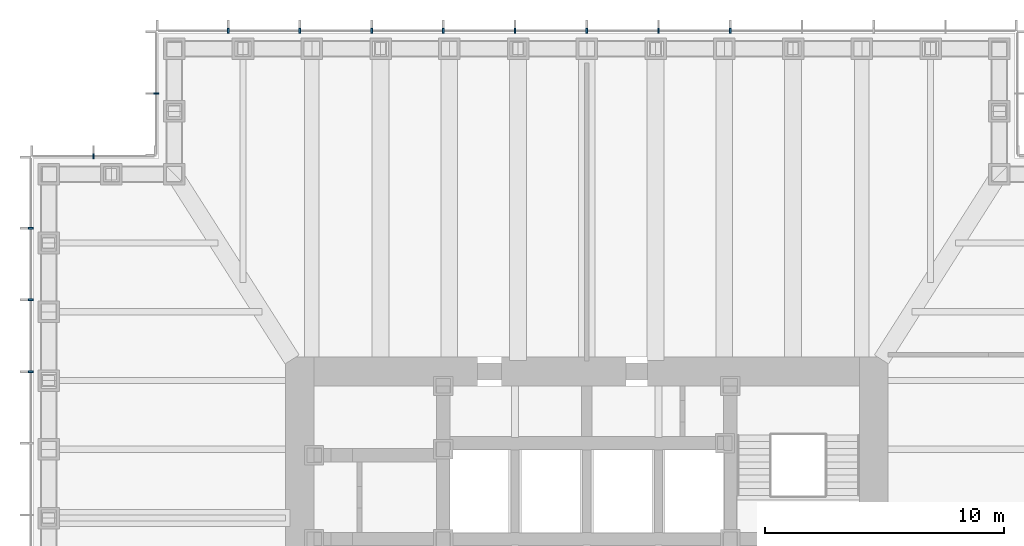
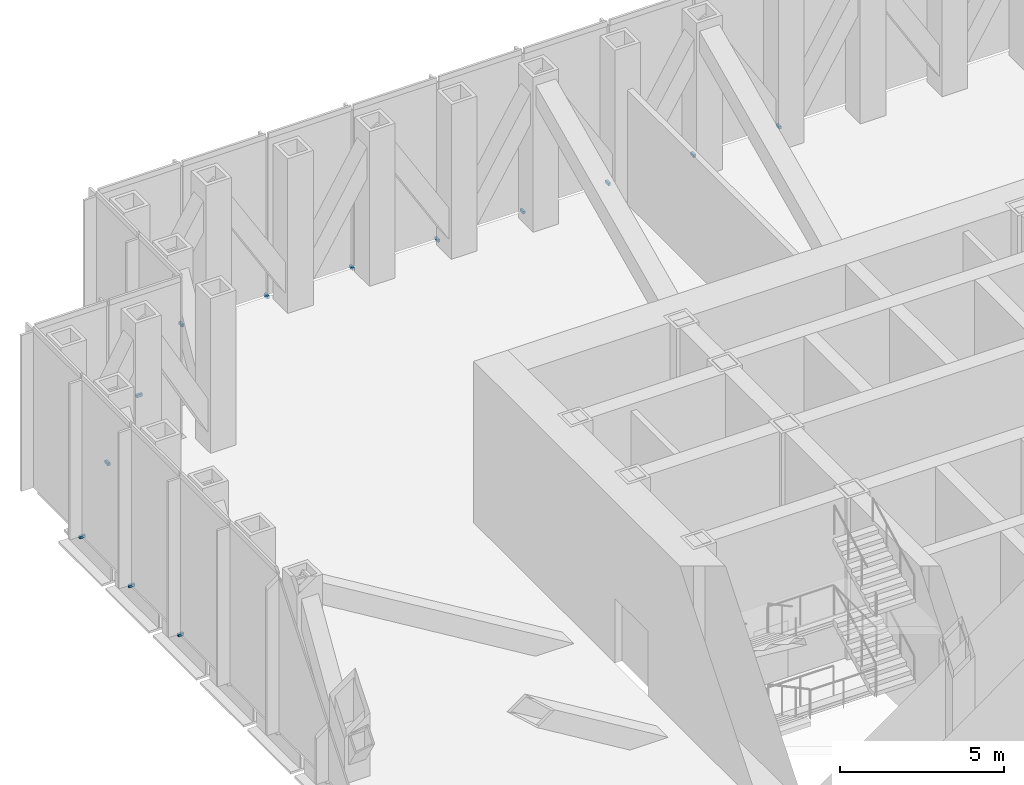
# One storey, part 11 of 13: 13 discrete accessories.
"""IFC4 building model written with IfcOpenShell, lengths in metres."""

from ifc_helpers import new_model, si_unit, direction, frame, origin, origin_2d, place, context, subcontext, project, spatial, rectangle, extrude, element, save


model = new_model("IFC4")

# Units and contexts
model_context = context("Model", 3, precision=1e-05, world=origin(), true_north=direction((0.0, 1.0)))
body_context = subcontext(model_context, "Body", "Model", "MODEL_VIEW")
ifc_project = project(units=[si_unit("LENGTHUNIT", "METRE"), si_unit("AREAUNIT", "SQUARE_METRE"), si_unit("VOLUMEUNIT", "CUBIC_METRE"), si_unit("PLANEANGLEUNIT", "RADIAN"), si_unit("MASSUNIT", "GRAM", prefix="KILO")], contexts=[model_context])

# Site, building, storey
site_placement = place(None, origin())
site = spatial("IfcSite", under=ifc_project, at=site_placement, CompositionType="ELEMENT")
building_placement = place(site_placement, origin())
building = spatial("IfcBuilding", under=site, at=building_placement, Name="Daluyong Arena Tower", CompositionType="ELEMENT")
storey_placement = place(building_placement, frame((0.0, 0.0, 175.300048828125)))
storey = spatial("IfcBuildingStorey", under=building, at=storey_placement, Name="L39", CompositionType="ELEMENT", Elevation=175.300048828125)

# Discrete accessories
for number, where, z_axis, x_axis, name in (
    (1, (62.0, 103.25, -0.10009765625), (0.0, 0.0, 1.0), (-1.0, 0.0, 0.0), "curtain wall L39 N anchor bracket 5"),
    (2, (59.0, 103.25, -0.10009765625), (0.0, 0.0, 1.0), (-1.0, 0.0, 0.0), "curtain wall L39 N anchor bracket 6"),
    (3, (56.0, 103.25, -0.10009765625), (0.0, 0.0, 1.0), (-1.0, 0.0, 0.0), "curtain wall L39 N anchor bracket 7"),
    (4, (53.0, 103.25, -0.10009765625), (0.0, 0.0, 1.0), (-1.0, 0.0, 0.0), "curtain wall L39 N anchor bracket 8"),
    (5, (50.0, 103.25, -0.10009765625), (0.0, 0.0, 1.0), (-1.0, 0.0, 0.0), "curtain wall L39 N anchor bracket 9"),
    (6, (47.0, 103.25, -0.10009765625), (0.0, 0.0, 1.0), (-1.0, 0.0, 0.0), "curtain wall L39 N anchor bracket 10"),
    (7, (44.0, 103.25, -0.10009765625), (0.0, 0.0, 1.0), (-1.0, 0.0, 0.0), "curtain wall L39 N anchor bracket 11"),
    (8, (41.0, 103.25, -0.10009765625), (0.0, 0.0, 1.0), (-1.0, 0.0, 0.0), "curtain wall L39 N anchor bracket 12"),
    (9, (38.0, 100.625, -0.10009765625), (0.0, 0.0, 1.0), (0.0, -1.0, 0.0), "curtain wall L39 NW-W anchor bracket 2"),
    (10, (35.375, 98.0, -0.10009765625), (0.0, 0.0, 1.0), (-1.0, 0.0, 0.0), "curtain wall L39 NW-N anchor bracket 2"),
    (11, (32.75, 95.0, -0.10009765625), (0.0, 0.0, 1.0), (0.0, -1.0, 0.0), "curtain wall L39 W anchor bracket 2"),
    (12, (32.75, 92.0, -0.10009765625), (0.0, 0.0, 1.0), (0.0, -1.0, 0.0), "curtain wall L39 W anchor bracket 3"),
    (13, (32.75, 89.0, -0.10009765625), (0.0, 0.0, 1.0), (0.0, -1.0, 0.0), "curtain wall L39 W anchor bracket 4"),
):
    element("IfcDiscreteAccessory", number, at=place(storey_placement, frame(where, z_axis=z_axis, x_axis=x_axis)), inside=storey, Name=name, PredefinedType="BRACKET", context=body_context, shape_type="SweptSolid", body=[
        extrude(rectangle(XDim=0.080078125, YDim=0.199951171875, at=origin_2d()), origin(), (0.0, 0.0, 1.0), 0.10009765625),
    ])

save(model, "model.ifc")
